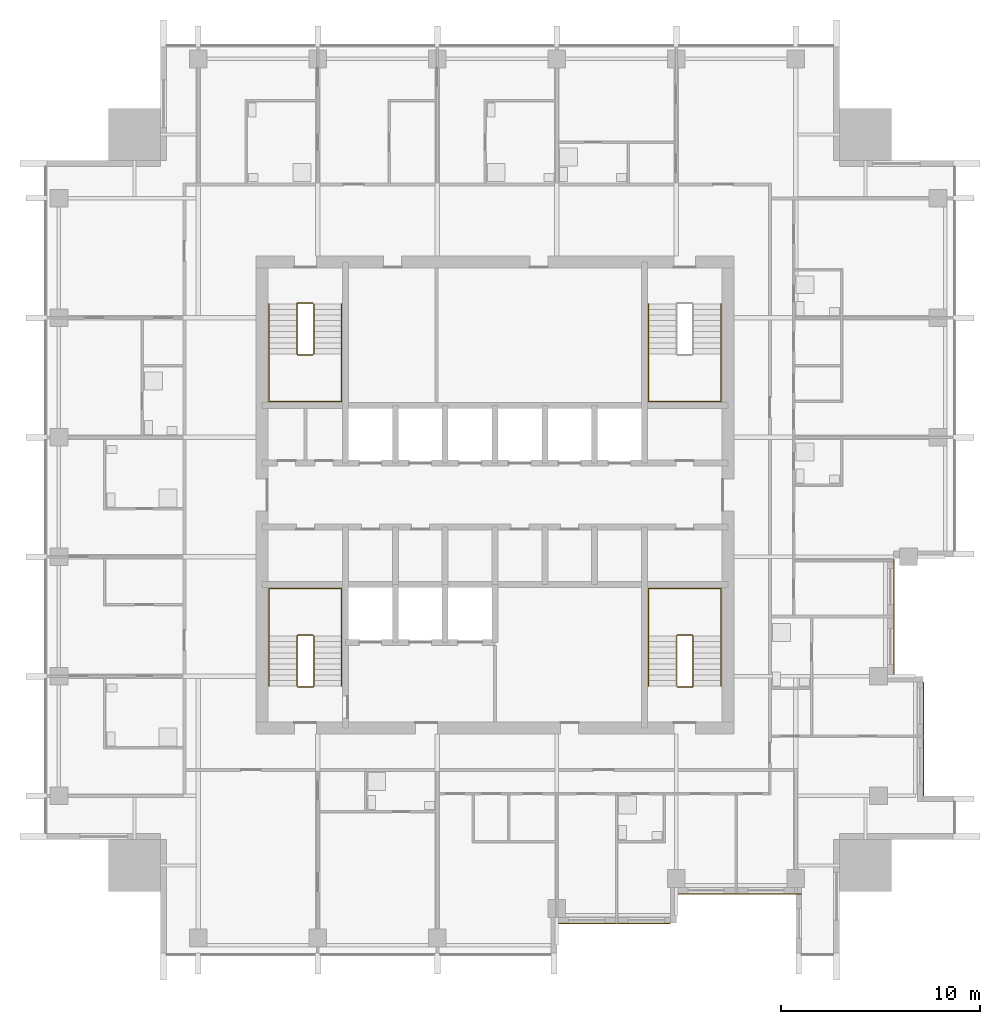
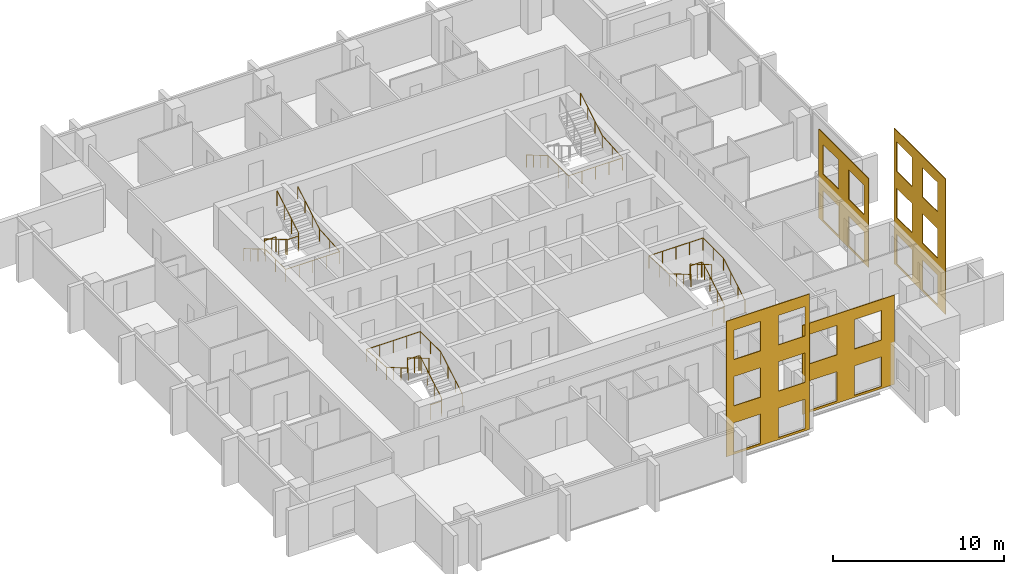
# One storey, part 9 of 11: 7 railings, 4 coverings.
"""IFC4 building model written with IfcOpenShell, lengths in metres."""

from ifc_helpers import new_model, si_unit, direction, frame, origin, origin_2d, place, context, subcontext, project, spatial, polyline, circle, outline, extrude, material, layer, layer_set, type_object, element, save


model = new_model("IFC4")

# Units and contexts
model_context = context("Model", 3, precision=1e-05, world=origin(), true_north=direction((0.0, 1.0)))
body_context = subcontext(model_context, "Body", "Model", "MODEL_VIEW")
ifc_project = project(units=[si_unit("LENGTHUNIT", "METRE"), si_unit("AREAUNIT", "SQUARE_METRE"), si_unit("VOLUMEUNIT", "CUBIC_METRE"), si_unit("PLANEANGLEUNIT", "RADIAN"), si_unit("MASSUNIT", "GRAM", prefix="KILO")], contexts=[model_context])

# Site, building, storey
site_placement = place(None, origin())
site = spatial("IfcSite", under=ifc_project, at=site_placement, CompositionType="ELEMENT")
building_placement = place(site_placement, origin())
building = spatial("IfcBuilding", under=site, at=building_placement, Name="Amberfall Residences", CompositionType="ELEMENT")
storey_placement = place(building_placement, frame((0.0, 0.0, 196.89990234375)))
storey = spatial("IfcBuildingStorey", under=building, at=storey_placement, Name="L52", CompositionType="ELEMENT", Elevation=196.89990234375)

# Coverings
ifc_material_1 = material(Name="Pale limestone cladding", Category="masonry")
ifc_layer = layer(ifc_material_1, 0.050048828125)
ifc_layer_set = layer_set([ifc_layer], Name="Limestone fascia 50")
covering_type = type_object("IfcCoveringType", Name="Limestone fascia 50", PredefinedType="CLADDING", material=ifc_layer_set)
covering_1_placement = place(storey_placement, frame((77.68994140625, 24.0, 9.650146484375), z_axis=(0.0, 1.0, 0.0), x_axis=(1.0, 0.0, 0.0)))
element("IfcCovering", 1, at=covering_1_placement, inside=storey, type_object=covering_type, Name="Pale limestone cladding L52-L54 S", PredefinedType="CLADDING", context=body_context, shape_type="SweptSolid", body=[
    extrude(outline(polyline([(0.0, 0.0), (5.610107421875, 0.0), (5.610107421875, 9.650146484375), (0.0, 9.650146484375), (0.0, 0.0)]), holes=[polyline([(0.510009765625, 7.400146484375), (2.31005859375, 7.400146484375), (2.31005859375, 9.5), (0.510009765625, 9.5), (0.510009765625, 7.400146484375)]), polyline([(3.510009765625, 7.400146484375), (5.31005859375, 7.400146484375), (5.31005859375, 9.5), (3.510009765625, 9.5), (3.510009765625, 7.400146484375)]), polyline([(0.510009765625, 4.10009765625), (2.31005859375, 4.10009765625), (2.31005859375, 6.199951171875), (0.510009765625, 6.199951171875), (0.510009765625, 4.10009765625)]), polyline([(3.510009765625, 4.10009765625), (5.31005859375, 4.10009765625), (5.31005859375, 6.199951171875), (3.510009765625, 6.199951171875), (3.510009765625, 4.10009765625)]), polyline([(0.510009765625, 0.800048828125), (2.31005859375, 0.800048828125), (2.31005859375, 2.900146484375), (0.510009765625, 2.900146484375), (0.510009765625, 0.800048828125)]), polyline([(3.510009765625, 0.800048828125), (5.31005859375, 0.800048828125), (5.31005859375, 2.900146484375), (3.510009765625, 2.900146484375), (3.510009765625, 0.800048828125)])]), origin(), (0.0, 0.0, -1.0), 0.050048828125),
])
covering_2_placement = place(storey_placement, frame((83.68994140625, 25.5, 6.35009765625), z_axis=(0.0, 1.0, 0.0), x_axis=(1.0, 0.0, 0.0)))
element("IfcCovering", 2, at=covering_2_placement, inside=storey, type_object=covering_type, Name="Pale limestone cladding L52-L53 S", PredefinedType="CLADDING", context=body_context, shape_type="SweptSolid", body=[
    extrude(outline(polyline([(0.0, 0.0), (6.2099609375, 0.0), (6.2099609375, 6.35009765625), (0.0, 6.35009765625), (0.0, 0.0)]), holes=[polyline([(0.510009765625, 4.10009765625), (2.31005859375, 4.10009765625), (2.31005859375, 6.199951171875), (0.510009765625, 6.199951171875), (0.510009765625, 4.10009765625)]), polyline([(3.510009765625, 4.10009765625), (5.31005859375, 4.10009765625), (5.31005859375, 6.199951171875), (3.510009765625, 6.199951171875), (3.510009765625, 4.10009765625)]), polyline([(0.510009765625, 0.800048828125), (2.31005859375, 0.800048828125), (2.31005859375, 2.89990234375), (0.510009765625, 2.89990234375), (0.510009765625, 0.800048828125)]), polyline([(3.510009765625, 0.800048828125), (5.31005859375, 0.800048828125), (5.31005859375, 2.89990234375), (3.510009765625, 2.89990234375), (3.510009765625, 0.800048828125)])]), origin(), (0.0, 0.0, -1.0), 0.050048828125),
])
covering_3_placement = place(storey_placement, frame((96.0, 30.10009765625, 9.650146484375), z_axis=(-1.0, 0.0, 0.0), x_axis=(0.0, 1.0, 0.0)))
element("IfcCovering", 3, at=covering_3_placement, inside=storey, type_object=covering_type, Name="Pale limestone cladding L52-L54 E", PredefinedType="CLADDING", context=body_context, shape_type="SweptSolid", body=[
    extrude(outline(polyline([(0.0, 0.0), (6.0, 0.0), (6.0, 9.650146484375), (0.0, 9.650146484375), (0.0, 0.0)]), holes=[polyline([(0.89990234375, 7.400146484375), (2.699951171875, 7.400146484375), (2.699951171875, 9.5), (0.89990234375, 9.5), (0.89990234375, 7.400146484375)]), polyline([(3.89990234375, 7.400146484375), (5.699951171875, 7.400146484375), (5.699951171875, 9.5), (3.89990234375, 9.5), (3.89990234375, 7.400146484375)]), polyline([(0.89990234375, 4.10009765625), (2.699951171875, 4.10009765625), (2.699951171875, 6.199951171875), (0.89990234375, 6.199951171875), (0.89990234375, 4.10009765625)]), polyline([(3.89990234375, 4.10009765625), (5.699951171875, 4.10009765625), (5.699951171875, 6.199951171875), (3.89990234375, 6.199951171875), (3.89990234375, 4.10009765625)]), polyline([(0.89990234375, 0.800048828125), (2.699951171875, 0.800048828125), (2.699951171875, 2.900146484375), (0.89990234375, 2.900146484375), (0.89990234375, 0.800048828125)]), polyline([(3.89990234375, 0.800048828125), (5.699951171875, 0.800048828125), (5.699951171875, 2.900146484375), (3.89990234375, 2.900146484375), (3.89990234375, 0.800048828125)])]), origin(), (0.0, 0.0, -1.0), 0.050048828125),
])
covering_4_placement = place(storey_placement, frame((94.5, 36.489990234375, 6.35009765625), z_axis=(-1.0, 0.0, 0.0), x_axis=(0.0, 1.0, 0.0)))
element("IfcCovering", 4, at=covering_4_placement, inside=storey, type_object=covering_type, Name="Pale limestone cladding L52-L53 E", PredefinedType="CLADDING", context=body_context, shape_type="SweptSolid", body=[
    extrude(outline(polyline([(0.0, 0.0), (5.81005859375, 0.0), (5.81005859375, 6.35009765625), (0.0, 6.35009765625), (0.0, 0.0)]), holes=[polyline([(0.510009765625, 4.10009765625), (2.31005859375, 4.10009765625), (2.31005859375, 6.199951171875), (0.510009765625, 6.199951171875), (0.510009765625, 4.10009765625)]), polyline([(3.510009765625, 4.10009765625), (5.31005859375, 4.10009765625), (5.31005859375, 6.199951171875), (3.510009765625, 6.199951171875), (3.510009765625, 4.10009765625)]), polyline([(0.510009765625, 0.800048828125), (2.31005859375, 0.800048828125), (2.31005859375, 2.89990234375), (0.510009765625, 2.89990234375), (0.510009765625, 0.800048828125)]), polyline([(3.510009765625, 0.800048828125), (5.31005859375, 0.800048828125), (5.31005859375, 2.89990234375), (3.510009765625, 2.89990234375), (3.510009765625, 0.800048828125)])]), origin(), (0.0, 0.0, -1.0), 0.050048828125),
])

# Railings
ifc_material_2 = material(Name="Stainless steel 316", Category="steel")
railing_type_1 = type_object("IfcRailingType", Name="Stair guard 1100", PredefinedType="GUARDRAIL", material=ifc_material_2)
railing_1_placement = place(storey_placement, frame((64.60009765625, 35.85009765625, 0.0)))
element("IfcRailing", 5, at=railing_1_placement, inside=storey, type_object=railing_type_1, Name="L52 stair 1 guard", PredefinedType="GUARDRAIL", context=body_context, shape_type="SweptSolid", body=[
    extrude(circle(Radius=0.02392578125, at=origin_2d()), frame((0.0, 0.0, 1.076171875), z_axis=(1.0, 0.0, 0.0), x_axis=(0.0, 1.0, 0.0)), (0.0, 0.0, 1.0), 0.75),
    extrude(circle(Radius=0.02392578125, at=origin_2d()), frame((0.75, 0.0, 1.076171875), z_axis=(0.27755538755, 0.27755538755, 0.919742362667), x_axis=(-0.707106781187, 0.707106781187, 0.0)), (0.0, 0.0, 1.0), 0.179443359375),
    extrude(circle(Radius=0.02392578125, at=origin_2d()), frame((0.7998046875, 0.0498046875, 1.2412109375), z_axis=(0.0, 0.86152411907, 0.507716645641), x_axis=(-1.0, 0.0, 0.0)), (0.0, 0.0, 1.0), 2.925048828125),
    extrude(circle(Radius=0.02392578125, at=origin_2d()), frame((0.7998046875, 2.56982421875, 2.72607421875), z_axis=(-0.705375805398, 0.708833529934, 0.0), x_axis=(-0.708833529934, -0.705375805398, 0.0)), (0.0, 0.0, 1.0), 0.070556640625),
    extrude(circle(Radius=0.02392578125, at=origin_2d()), frame((0.75, 2.619873046875, 2.72607421875), z_axis=(-1.0, 0.0, 0.0), x_axis=(0.0, -1.0, 0.0)), (0.0, 0.0, 1.0), 0.75),
    extrude(circle(Radius=0.02392578125, at=origin_2d()), frame((0.0, 2.619873046875, 2.72607421875), z_axis=(-0.278705021027, -0.278705021027, 0.919046801044), x_axis=(0.707106781187, -0.707106781187, 0.0)), (0.0, 0.0, 1.0), 0.1796875),
    extrude(circle(Radius=0.02392578125, at=origin_2d()), frame((-0.050048828125, 2.56982421875, 2.89111328125), z_axis=(0.0, -0.861560626758, 0.507654692109), x_axis=(1.0, 0.0, 0.0)), (0.0, 0.0, 1.0), 2.925048828125),
    extrude(circle(Radius=0.02099609375, at=origin_2d()), origin(), (0.0, 0.0, 1.0), 1.052001953125),
    extrude(circle(Radius=0.02099609375, at=origin_2d()), frame((0.75, 0.0, 0.0)), (0.0, 0.0, 1.0), 1.052001953125),
    extrude(circle(Radius=0.02099609375, at=origin_2d()), frame((0.7998046875, 0.0498046875, 0.1650390625)), (0.0, 0.0, 1.0), 1.052001953125),
    extrude(circle(Radius=0.02099609375, at=origin_2d()), frame((0.7998046875, 0.889892578125, 0.66015625)), (0.0, 0.0, 1.0), 1.052001953125),
    extrude(circle(Radius=0.02099609375, at=origin_2d()), frame((0.7998046875, 1.729736328125, 1.155029296875)), (0.0, 0.0, 1.0), 1.052001953125),
    extrude(circle(Radius=0.02099609375, at=origin_2d()), frame((0.7998046875, 2.56982421875, 1.650146484375)), (0.0, 0.0, 1.0), 1.052001953125),
    extrude(circle(Radius=0.02099609375, at=origin_2d()), frame((0.75, 2.619873046875, 1.650146484375)), (0.0, 0.0, 1.0), 1.052001953125),
    extrude(circle(Radius=0.02099609375, at=origin_2d()), frame((0.0, 2.619873046875, 1.650146484375)), (0.0, 0.0, 1.0), 1.052001953125),
    extrude(circle(Radius=0.02099609375, at=origin_2d()), frame((-0.050048828125, 2.56982421875, 1.815185546875)), (0.0, 0.0, 1.0), 1.052001953125),
    extrude(circle(Radius=0.02099609375, at=origin_2d()), frame((-0.050048828125, 1.729736328125, 2.31005859375)), (0.0, 0.0, 1.0), 1.052001953125),
    extrude(circle(Radius=0.02099609375, at=origin_2d()), frame((-0.050048828125, 0.889892578125, 2.80517578125)), (0.0, 0.0, 1.0), 1.052001953125),
    extrude(circle(Radius=0.02099609375, at=origin_2d()), frame((-0.050048828125, 0.0498046875, 3.300048828125)), (0.0, 0.0, 1.0), 1.052001953125),
])
railing_2_placement = place(storey_placement, frame((83.64990234375, 35.85009765625, 0.0)))
element("IfcRailing", 6, at=railing_2_placement, inside=storey, type_object=railing_type_1, Name="L52 stair 2 guard", PredefinedType="GUARDRAIL", context=body_context, shape_type="SweptSolid", body=[
    extrude(circle(Radius=0.02392578125, at=origin_2d()), frame((0.0, 0.0, 1.076171875), z_axis=(1.0, 0.0, 0.0), x_axis=(0.0, 1.0, 0.0)), (0.0, 0.0, 1.0), 0.75),
    extrude(circle(Radius=0.02392578125, at=origin_2d()), frame((0.75, 0.0, 1.076171875), z_axis=(0.278810427259, 0.277450376394, 0.919394384522), x_axis=(-0.705375805398, 0.708833529934, 0.0)), (0.0, 0.0, 1.0), 0.179443359375),
    extrude(circle(Radius=0.02392578125, at=origin_2d()), frame((0.800048828125, 0.0498046875, 1.2412109375), z_axis=(0.0, 0.86152411907, 0.507716645641), x_axis=(-1.0, 0.0, 0.0)), (0.0, 0.0, 1.0), 2.925048828125),
    extrude(circle(Radius=0.02392578125, at=origin_2d()), frame((0.800048828125, 2.56982421875, 2.72607421875), z_axis=(-0.707106781187, 0.707106781187, 0.0), x_axis=(-0.707106781187, -0.707106781187, 0.0)), (0.0, 0.0, 1.0), 0.07080078125),
    extrude(circle(Radius=0.02392578125, at=origin_2d()), frame((0.75, 2.619873046875, 2.72607421875), z_axis=(-1.0, 0.0, 0.0), x_axis=(0.0, -1.0, 0.0)), (0.0, 0.0, 1.0), 0.75),
    extrude(circle(Radius=0.02392578125, at=origin_2d()), frame((0.0, 2.619873046875, 2.72607421875), z_axis=(-0.277450376394, -0.278810427259, 0.919394384522), x_axis=(0.708833529934, -0.705375805398, 0.0)), (0.0, 0.0, 1.0), 0.179443359375),
    extrude(circle(Radius=0.02392578125, at=origin_2d()), frame((-0.0498046875, 2.56982421875, 2.89111328125), z_axis=(0.0, -0.861560626758, 0.507654692109), x_axis=(1.0, 0.0, 0.0)), (0.0, 0.0, 1.0), 2.925048828125),
    extrude(circle(Radius=0.02099609375, at=origin_2d()), origin(), (0.0, 0.0, 1.0), 1.052001953125),
    extrude(circle(Radius=0.02099609375, at=origin_2d()), frame((0.75, 0.0, 0.0)), (0.0, 0.0, 1.0), 1.052001953125),
    extrude(circle(Radius=0.02099609375, at=origin_2d()), frame((0.800048828125, 0.0498046875, 0.1650390625)), (0.0, 0.0, 1.0), 1.052001953125),
    extrude(circle(Radius=0.02099609375, at=origin_2d()), frame((0.800048828125, 0.889892578125, 0.66015625)), (0.0, 0.0, 1.0), 1.052001953125),
    extrude(circle(Radius=0.02099609375, at=origin_2d()), frame((0.800048828125, 1.729736328125, 1.155029296875)), (0.0, 0.0, 1.0), 1.052001953125),
    extrude(circle(Radius=0.02099609375, at=origin_2d()), frame((0.800048828125, 2.56982421875, 1.650146484375)), (0.0, 0.0, 1.0), 1.052001953125),
    extrude(circle(Radius=0.02099609375, at=origin_2d()), frame((0.75, 2.619873046875, 1.650146484375)), (0.0, 0.0, 1.0), 1.052001953125),
    extrude(circle(Radius=0.02099609375, at=origin_2d()), frame((0.0, 2.619873046875, 1.650146484375)), (0.0, 0.0, 1.0), 1.052001953125),
    extrude(circle(Radius=0.02099609375, at=origin_2d()), frame((-0.0498046875, 2.56982421875, 1.815185546875)), (0.0, 0.0, 1.0), 1.052001953125),
    extrude(circle(Radius=0.02099609375, at=origin_2d()), frame((-0.0498046875, 1.729736328125, 2.31005859375)), (0.0, 0.0, 1.0), 1.052001953125),
    extrude(circle(Radius=0.02099609375, at=origin_2d()), frame((-0.0498046875, 0.889892578125, 2.80517578125)), (0.0, 0.0, 1.0), 1.052001953125),
    extrude(circle(Radius=0.02099609375, at=origin_2d()), frame((-0.0498046875, 0.0498046875, 3.300048828125)), (0.0, 0.0, 1.0), 1.052001953125),
])
railing_3_placement = place(storey_placement, frame((65.35009765625, 55.14990234375, 0.0)))
element("IfcRailing", 7, at=railing_3_placement, inside=storey, type_object=railing_type_1, Name="L52 stair 4 guard", PredefinedType="GUARDRAIL", context=body_context, shape_type="SweptSolid", body=[
    extrude(circle(Radius=0.02392578125, at=origin_2d()), frame((0.0, 0.0, 1.076171875), z_axis=(-1.0, 0.0, 0.0), x_axis=(0.0, -1.0, 0.0)), (0.0, 0.0, 1.0), 0.75),
    extrude(circle(Radius=0.02392578125, at=origin_2d()), frame((-0.75, 0.0, 1.076171875), z_axis=(-0.278810427259, -0.277450376394, 0.919394384522), x_axis=(0.705375805398, -0.708833529934, 0.0)), (0.0, 0.0, 1.0), 0.179443359375),
    extrude(circle(Radius=0.02392578125, at=origin_2d()), frame((-0.800048828125, -0.0498046875, 1.2412109375), z_axis=(0.0, -0.86152411907, 0.507716645641), x_axis=(1.0, 0.0, 0.0)), (0.0, 0.0, 1.0), 2.925048828125),
    extrude(circle(Radius=0.02392578125, at=origin_2d()), frame((-0.800048828125, -2.56982421875, 2.72607421875), z_axis=(0.707106781187, -0.707106781187, 0.0), x_axis=(0.707106781187, 0.707106781187, 0.0)), (0.0, 0.0, 1.0), 0.07080078125),
    extrude(circle(Radius=0.02392578125, at=origin_2d()), frame((-0.75, -2.619873046875, 2.72607421875), z_axis=(1.0, 0.0, 0.0), x_axis=(0.0, 1.0, 0.0)), (0.0, 0.0, 1.0), 0.75),
    extrude(circle(Radius=0.02392578125, at=origin_2d()), frame((0.0, -2.619873046875, 2.72607421875), z_axis=(0.277450376394, 0.278810427259, 0.919394384522), x_axis=(-0.708833529934, 0.705375805398, 0.0)), (0.0, 0.0, 1.0), 0.179443359375),
    extrude(circle(Radius=0.02392578125, at=origin_2d()), frame((0.0498046875, -2.56982421875, 2.89111328125), z_axis=(0.0, 0.861560626758, 0.507654692109), x_axis=(-1.0, 0.0, 0.0)), (0.0, 0.0, 1.0), 2.925048828125),
    extrude(circle(Radius=0.02099609375, at=origin_2d()), origin(), (0.0, 0.0, 1.0), 1.052001953125),
    extrude(circle(Radius=0.02099609375, at=origin_2d()), frame((-0.75, 0.0, 0.0)), (0.0, 0.0, 1.0), 1.052001953125),
    extrude(circle(Radius=0.02099609375, at=origin_2d()), frame((-0.800048828125, -0.0498046875, 0.1650390625)), (0.0, 0.0, 1.0), 1.052001953125),
    extrude(circle(Radius=0.02099609375, at=origin_2d()), frame((-0.800048828125, -0.889892578125, 0.66015625)), (0.0, 0.0, 1.0), 1.052001953125),
    extrude(circle(Radius=0.02099609375, at=origin_2d()), frame((-0.800048828125, -1.729736328125, 1.155029296875)), (0.0, 0.0, 1.0), 1.052001953125),
    extrude(circle(Radius=0.02099609375, at=origin_2d()), frame((-0.800048828125, -2.56982421875, 1.650146484375)), (0.0, 0.0, 1.0), 1.052001953125),
    extrude(circle(Radius=0.02099609375, at=origin_2d()), frame((-0.75, -2.619873046875, 1.650146484375)), (0.0, 0.0, 1.0), 1.052001953125),
    extrude(circle(Radius=0.02099609375, at=origin_2d()), frame((0.0, -2.619873046875, 1.650146484375)), (0.0, 0.0, 1.0), 1.052001953125),
    extrude(circle(Radius=0.02099609375, at=origin_2d()), frame((0.0498046875, -2.56982421875, 1.815185546875)), (0.0, 0.0, 1.0), 1.052001953125),
    extrude(circle(Radius=0.02099609375, at=origin_2d()), frame((0.0498046875, -1.729736328125, 2.31005859375)), (0.0, 0.0, 1.0), 1.052001953125),
    extrude(circle(Radius=0.02099609375, at=origin_2d()), frame((0.0498046875, -0.889892578125, 2.80517578125)), (0.0, 0.0, 1.0), 1.052001953125),
    extrude(circle(Radius=0.02099609375, at=origin_2d()), frame((0.0498046875, -0.0498046875, 3.300048828125)), (0.0, 0.0, 1.0), 1.052001953125),
])
railing_type_2 = type_object("IfcRailingType", Name="Stair handrail 900", PredefinedType="HANDRAIL", material=ifc_material_2)
railing_4_placement = place(storey_placement, frame((66.800048828125, 35.89990234375, 0.1650390625)))
element("IfcRailing", 8, at=railing_4_placement, inside=storey, type_object=railing_type_2, Name="L52 stair 1 handrail", PredefinedType="HANDRAIL", context=body_context, shape_type="SweptSolid", body=[
    extrude(circle(Radius=0.02392578125, at=origin_2d()), frame((0.0, 0.0, 0.8759765625), z_axis=(0.0, 0.86152411907, 0.507716645641), x_axis=(-1.0, 0.0, 0.0)), (0.0, 0.0, 1.0), 2.925048828125),
    extrude(circle(Radius=0.02392578125, at=origin_2d()), frame((0.0, 2.52001953125, 2.36083984375), z_axis=(0.0, 1.0, 0.0), x_axis=(-1.0, 0.0, 0.0)), (0.0, 0.0, 1.0), 2.380126953125),
    extrude(circle(Radius=0.02392578125, at=origin_2d()), frame((0.0, 4.900146484375, 2.36083984375), z_axis=(-1.0, 0.0, 0.0), x_axis=(0.0, -1.0, 0.0)), (0.0, 0.0, 1.0), 3.650146484375),
    extrude(circle(Radius=0.02392578125, at=origin_2d()), frame((-3.650146484375, 4.900146484375, 2.36083984375), z_axis=(0.0, -0.997604585917, 0.069174346095), x_axis=(1.0, 0.0, 0.0)), (0.0, 0.0, 1.0), 2.3857421875),
    extrude(circle(Radius=0.02392578125, at=origin_2d()), frame((-3.650146484375, 2.52001953125, 2.52587890625), z_axis=(0.0, -0.861560626758, 0.507654692109), x_axis=(1.0, 0.0, 0.0)), (0.0, 0.0, 1.0), 2.925048828125),
    extrude(circle(Radius=0.02099609375, at=origin_2d()), origin(), (0.0, 0.0, 1.0), 0.851806640625),
    extrude(circle(Radius=0.02099609375, at=origin_2d()), frame((0.0, 0.840087890625, 0.4951171875)), (0.0, 0.0, 1.0), 0.851806640625),
    extrude(circle(Radius=0.02099609375, at=origin_2d()), frame((0.0, 1.679931640625, 0.989990234375)), (0.0, 0.0, 1.0), 0.851806640625),
    extrude(circle(Radius=0.02099609375, at=origin_2d()), frame((0.0, 2.52001953125, 1.485107421875)), (0.0, 0.0, 1.0), 0.851806640625),
    extrude(circle(Radius=0.02099609375, at=origin_2d()), frame((0.0, 3.7099609375, 1.485107421875)), (0.0, 0.0, 1.0), 0.851806640625),
    extrude(circle(Radius=0.02099609375, at=origin_2d()), frame((0.0, 4.900146484375, 1.485107421875)), (0.0, 0.0, 1.0), 0.851806640625),
    extrude(circle(Radius=0.02099609375, at=origin_2d()), frame((-0.91259765625, 4.900146484375, 1.485107421875)), (0.0, 0.0, 1.0), 0.851806640625),
    extrude(circle(Radius=0.02099609375, at=origin_2d()), frame((-1.8251953125, 4.900146484375, 1.485107421875)), (0.0, 0.0, 1.0), 0.851806640625),
    extrude(circle(Radius=0.02099609375, at=origin_2d()), frame((-2.737548828125, 4.900146484375, 1.485107421875)), (0.0, 0.0, 1.0), 0.851806640625),
    extrude(circle(Radius=0.02099609375, at=origin_2d()), frame((-3.650146484375, 4.900146484375, 1.485107421875)), (0.0, 0.0, 1.0), 0.851806640625),
    extrude(circle(Radius=0.02099609375, at=origin_2d()), frame((-3.650146484375, 3.7099609375, 1.567626953125)), (0.0, 0.0, 1.0), 0.851806640625),
    extrude(circle(Radius=0.02099609375, at=origin_2d()), frame((-3.650146484375, 2.52001953125, 1.650146484375)), (0.0, 0.0, 1.0), 0.851806640625),
    extrude(circle(Radius=0.02099609375, at=origin_2d()), frame((-3.650146484375, 1.679931640625, 2.14501953125)), (0.0, 0.0, 1.0), 0.851806640625),
    extrude(circle(Radius=0.02099609375, at=origin_2d()), frame((-3.650146484375, 0.840087890625, 2.64013671875)), (0.0, 0.0, 1.0), 0.851806640625),
    extrude(circle(Radius=0.02099609375, at=origin_2d()), frame((-3.650146484375, 0.0, 3.135009765625)), (0.0, 0.0, 1.0), 0.851806640625),
])
railing_5_placement = place(storey_placement, frame((85.85009765625, 35.89990234375, 0.1650390625)))
element("IfcRailing", 9, at=railing_5_placement, inside=storey, type_object=railing_type_2, Name="L52 stair 2 handrail", PredefinedType="HANDRAIL", context=body_context, shape_type="SweptSolid", body=[
    extrude(circle(Radius=0.02392578125, at=origin_2d()), frame((0.0, 0.0, 0.8759765625), z_axis=(0.0, 0.86152411907, 0.507716645641), x_axis=(-1.0, 0.0, 0.0)), (0.0, 0.0, 1.0), 2.925048828125),
    extrude(circle(Radius=0.02392578125, at=origin_2d()), frame((0.0, 2.52001953125, 2.36083984375), z_axis=(0.0, 1.0, 0.0), x_axis=(-1.0, 0.0, 0.0)), (0.0, 0.0, 1.0), 2.380126953125),
    extrude(circle(Radius=0.02392578125, at=origin_2d()), frame((0.0, 4.900146484375, 2.36083984375), z_axis=(-1.0, 0.0, 0.0), x_axis=(0.0, -1.0, 0.0)), (0.0, 0.0, 1.0), 3.650146484375),
    extrude(circle(Radius=0.02392578125, at=origin_2d()), frame((-3.650146484375, 4.900146484375, 2.36083984375), z_axis=(0.0, -0.997604585917, 0.069174346095), x_axis=(1.0, 0.0, 0.0)), (0.0, 0.0, 1.0), 2.3857421875),
    extrude(circle(Radius=0.02392578125, at=origin_2d()), frame((-3.650146484375, 2.52001953125, 2.52587890625), z_axis=(0.0, -0.861560626758, 0.507654692109), x_axis=(1.0, 0.0, 0.0)), (0.0, 0.0, 1.0), 2.925048828125),
    extrude(circle(Radius=0.02099609375, at=origin_2d()), origin(), (0.0, 0.0, 1.0), 0.851806640625),
    extrude(circle(Radius=0.02099609375, at=origin_2d()), frame((0.0, 0.840087890625, 0.4951171875)), (0.0, 0.0, 1.0), 0.851806640625),
    extrude(circle(Radius=0.02099609375, at=origin_2d()), frame((0.0, 1.679931640625, 0.989990234375)), (0.0, 0.0, 1.0), 0.851806640625),
    extrude(circle(Radius=0.02099609375, at=origin_2d()), frame((0.0, 2.52001953125, 1.485107421875)), (0.0, 0.0, 1.0), 0.851806640625),
    extrude(circle(Radius=0.02099609375, at=origin_2d()), frame((0.0, 3.7099609375, 1.485107421875)), (0.0, 0.0, 1.0), 0.851806640625),
    extrude(circle(Radius=0.02099609375, at=origin_2d()), frame((0.0, 4.900146484375, 1.485107421875)), (0.0, 0.0, 1.0), 0.851806640625),
    extrude(circle(Radius=0.02099609375, at=origin_2d()), frame((-0.91259765625, 4.900146484375, 1.485107421875)), (0.0, 0.0, 1.0), 0.851806640625),
    extrude(circle(Radius=0.02099609375, at=origin_2d()), frame((-1.8251953125, 4.900146484375, 1.485107421875)), (0.0, 0.0, 1.0), 0.851806640625),
    extrude(circle(Radius=0.02099609375, at=origin_2d()), frame((-2.737548828125, 4.900146484375, 1.485107421875)), (0.0, 0.0, 1.0), 0.851806640625),
    extrude(circle(Radius=0.02099609375, at=origin_2d()), frame((-3.650146484375, 4.900146484375, 1.485107421875)), (0.0, 0.0, 1.0), 0.851806640625),
    extrude(circle(Radius=0.02099609375, at=origin_2d()), frame((-3.650146484375, 3.7099609375, 1.567626953125)), (0.0, 0.0, 1.0), 0.851806640625),
    extrude(circle(Radius=0.02099609375, at=origin_2d()), frame((-3.650146484375, 2.52001953125, 1.650146484375)), (0.0, 0.0, 1.0), 0.851806640625),
    extrude(circle(Radius=0.02099609375, at=origin_2d()), frame((-3.650146484375, 1.679931640625, 2.14501953125)), (0.0, 0.0, 1.0), 0.851806640625),
    extrude(circle(Radius=0.02099609375, at=origin_2d()), frame((-3.650146484375, 0.840087890625, 2.64013671875)), (0.0, 0.0, 1.0), 0.851806640625),
    extrude(circle(Radius=0.02099609375, at=origin_2d()), frame((-3.650146484375, 0.0, 3.135009765625)), (0.0, 0.0, 1.0), 0.851806640625),
])
railing_6_placement = place(storey_placement, frame((82.199951171875, 55.10009765625, 0.1650390625)))
element("IfcRailing", 10, at=railing_6_placement, inside=storey, type_object=railing_type_2, Name="L52 stair 3 handrail", PredefinedType="HANDRAIL", context=body_context, shape_type="SweptSolid", body=[
    extrude(circle(Radius=0.02392578125, at=origin_2d()), frame((0.0, 0.0, 0.8759765625), z_axis=(0.0, -0.86152411907, 0.507716645641), x_axis=(1.0, 0.0, 0.0)), (0.0, 0.0, 1.0), 2.925048828125),
    extrude(circle(Radius=0.02392578125, at=origin_2d()), frame((0.0, -2.52001953125, 2.36083984375), z_axis=(0.0, -1.0, 0.0), x_axis=(1.0, 0.0, 0.0)), (0.0, 0.0, 1.0), 2.380126953125),
    extrude(circle(Radius=0.02392578125, at=origin_2d()), frame((0.0, -4.900146484375, 2.36083984375), z_axis=(1.0, 0.0, 0.0), x_axis=(0.0, 1.0, 0.0)), (0.0, 0.0, 1.0), 3.650146484375),
    extrude(circle(Radius=0.02392578125, at=origin_2d()), frame((3.650146484375, -4.900146484375, 2.36083984375), z_axis=(0.0, 0.997604585917, 0.069174346095), x_axis=(-1.0, 0.0, 0.0)), (0.0, 0.0, 1.0), 2.3857421875),
    extrude(circle(Radius=0.02392578125, at=origin_2d()), frame((3.650146484375, -2.52001953125, 2.52587890625), z_axis=(0.0, 0.861560626758, 0.507654692109), x_axis=(-1.0, 0.0, 0.0)), (0.0, 0.0, 1.0), 2.925048828125),
    extrude(circle(Radius=0.02099609375, at=origin_2d()), origin(), (0.0, 0.0, 1.0), 0.851806640625),
    extrude(circle(Radius=0.02099609375, at=origin_2d()), frame((0.0, -0.840087890625, 0.4951171875)), (0.0, 0.0, 1.0), 0.851806640625),
    extrude(circle(Radius=0.02099609375, at=origin_2d()), frame((0.0, -1.679931640625, 0.989990234375)), (0.0, 0.0, 1.0), 0.851806640625),
    extrude(circle(Radius=0.02099609375, at=origin_2d()), frame((0.0, -2.52001953125, 1.485107421875)), (0.0, 0.0, 1.0), 0.851806640625),
    extrude(circle(Radius=0.02099609375, at=origin_2d()), frame((0.0, -3.7099609375, 1.485107421875)), (0.0, 0.0, 1.0), 0.851806640625),
    extrude(circle(Radius=0.02099609375, at=origin_2d()), frame((0.0, -4.900146484375, 1.485107421875)), (0.0, 0.0, 1.0), 0.851806640625),
    extrude(circle(Radius=0.02099609375, at=origin_2d()), frame((0.91259765625, -4.900146484375, 1.485107421875)), (0.0, 0.0, 1.0), 0.851806640625),
    extrude(circle(Radius=0.02099609375, at=origin_2d()), frame((1.8251953125, -4.900146484375, 1.485107421875)), (0.0, 0.0, 1.0), 0.851806640625),
    extrude(circle(Radius=0.02099609375, at=origin_2d()), frame((2.737548828125, -4.900146484375, 1.485107421875)), (0.0, 0.0, 1.0), 0.851806640625),
    extrude(circle(Radius=0.02099609375, at=origin_2d()), frame((3.650146484375, -4.900146484375, 1.485107421875)), (0.0, 0.0, 1.0), 0.851806640625),
    extrude(circle(Radius=0.02099609375, at=origin_2d()), frame((3.650146484375, -3.7099609375, 1.567626953125)), (0.0, 0.0, 1.0), 0.851806640625),
    extrude(circle(Radius=0.02099609375, at=origin_2d()), frame((3.650146484375, -2.52001953125, 1.650146484375)), (0.0, 0.0, 1.0), 0.851806640625),
    extrude(circle(Radius=0.02099609375, at=origin_2d()), frame((3.650146484375, -1.679931640625, 2.14501953125)), (0.0, 0.0, 1.0), 0.851806640625),
    extrude(circle(Radius=0.02099609375, at=origin_2d()), frame((3.650146484375, -0.840087890625, 2.64013671875)), (0.0, 0.0, 1.0), 0.851806640625),
    extrude(circle(Radius=0.02099609375, at=origin_2d()), frame((3.650146484375, 0.0, 3.135009765625)), (0.0, 0.0, 1.0), 0.851806640625),
])
railing_7_placement = place(storey_placement, frame((63.14990234375, 55.10009765625, 0.1650390625)))
element("IfcRailing", 11, at=railing_7_placement, inside=storey, type_object=railing_type_2, Name="L52 stair 4 handrail", PredefinedType="HANDRAIL", context=body_context, shape_type="SweptSolid", body=[
    extrude(circle(Radius=0.02392578125, at=origin_2d()), frame((0.0, 0.0, 0.8759765625), z_axis=(0.0, -0.86152411907, 0.507716645641), x_axis=(1.0, 0.0, 0.0)), (0.0, 0.0, 1.0), 2.925048828125),
    extrude(circle(Radius=0.02392578125, at=origin_2d()), frame((0.0, -2.52001953125, 2.36083984375), z_axis=(0.0, -1.0, 0.0), x_axis=(1.0, 0.0, 0.0)), (0.0, 0.0, 1.0), 2.380126953125),
    extrude(circle(Radius=0.02392578125, at=origin_2d()), frame((0.0, -4.900146484375, 2.36083984375), z_axis=(1.0, 0.0, 0.0), x_axis=(0.0, 1.0, 0.0)), (0.0, 0.0, 1.0), 3.650146484375),
    extrude(circle(Radius=0.02392578125, at=origin_2d()), frame((3.650146484375, -4.900146484375, 2.36083984375), z_axis=(0.0, 0.997604585917, 0.069174346095), x_axis=(-1.0, 0.0, 0.0)), (0.0, 0.0, 1.0), 2.3857421875),
    extrude(circle(Radius=0.02392578125, at=origin_2d()), frame((3.650146484375, -2.52001953125, 2.52587890625), z_axis=(0.0, 0.861560626758, 0.507654692109), x_axis=(-1.0, 0.0, 0.0)), (0.0, 0.0, 1.0), 2.925048828125),
    extrude(circle(Radius=0.02099609375, at=origin_2d()), origin(), (0.0, 0.0, 1.0), 0.851806640625),
    extrude(circle(Radius=0.02099609375, at=origin_2d()), frame((0.0, -0.840087890625, 0.4951171875)), (0.0, 0.0, 1.0), 0.851806640625),
    extrude(circle(Radius=0.02099609375, at=origin_2d()), frame((0.0, -1.679931640625, 0.989990234375)), (0.0, 0.0, 1.0), 0.851806640625),
    extrude(circle(Radius=0.02099609375, at=origin_2d()), frame((0.0, -2.52001953125, 1.485107421875)), (0.0, 0.0, 1.0), 0.851806640625),
    extrude(circle(Radius=0.02099609375, at=origin_2d()), frame((0.0, -3.7099609375, 1.485107421875)), (0.0, 0.0, 1.0), 0.851806640625),
    extrude(circle(Radius=0.02099609375, at=origin_2d()), frame((0.0, -4.900146484375, 1.485107421875)), (0.0, 0.0, 1.0), 0.851806640625),
    extrude(circle(Radius=0.02099609375, at=origin_2d()), frame((0.91259765625, -4.900146484375, 1.485107421875)), (0.0, 0.0, 1.0), 0.851806640625),
    extrude(circle(Radius=0.02099609375, at=origin_2d()), frame((1.8251953125, -4.900146484375, 1.485107421875)), (0.0, 0.0, 1.0), 0.851806640625),
    extrude(circle(Radius=0.02099609375, at=origin_2d()), frame((2.737548828125, -4.900146484375, 1.485107421875)), (0.0, 0.0, 1.0), 0.851806640625),
    extrude(circle(Radius=0.02099609375, at=origin_2d()), frame((3.650146484375, -4.900146484375, 1.485107421875)), (0.0, 0.0, 1.0), 0.851806640625),
    extrude(circle(Radius=0.02099609375, at=origin_2d()), frame((3.650146484375, -3.7099609375, 1.567626953125)), (0.0, 0.0, 1.0), 0.851806640625),
    extrude(circle(Radius=0.02099609375, at=origin_2d()), frame((3.650146484375, -2.52001953125, 1.650146484375)), (0.0, 0.0, 1.0), 0.851806640625),
    extrude(circle(Radius=0.02099609375, at=origin_2d()), frame((3.650146484375, -1.679931640625, 2.14501953125)), (0.0, 0.0, 1.0), 0.851806640625),
    extrude(circle(Radius=0.02099609375, at=origin_2d()), frame((3.650146484375, -0.840087890625, 2.64013671875)), (0.0, 0.0, 1.0), 0.851806640625),
    extrude(circle(Radius=0.02099609375, at=origin_2d()), frame((3.650146484375, 0.0, 3.135009765625)), (0.0, 0.0, 1.0), 0.851806640625),
])

save(model, "model.ifc")
